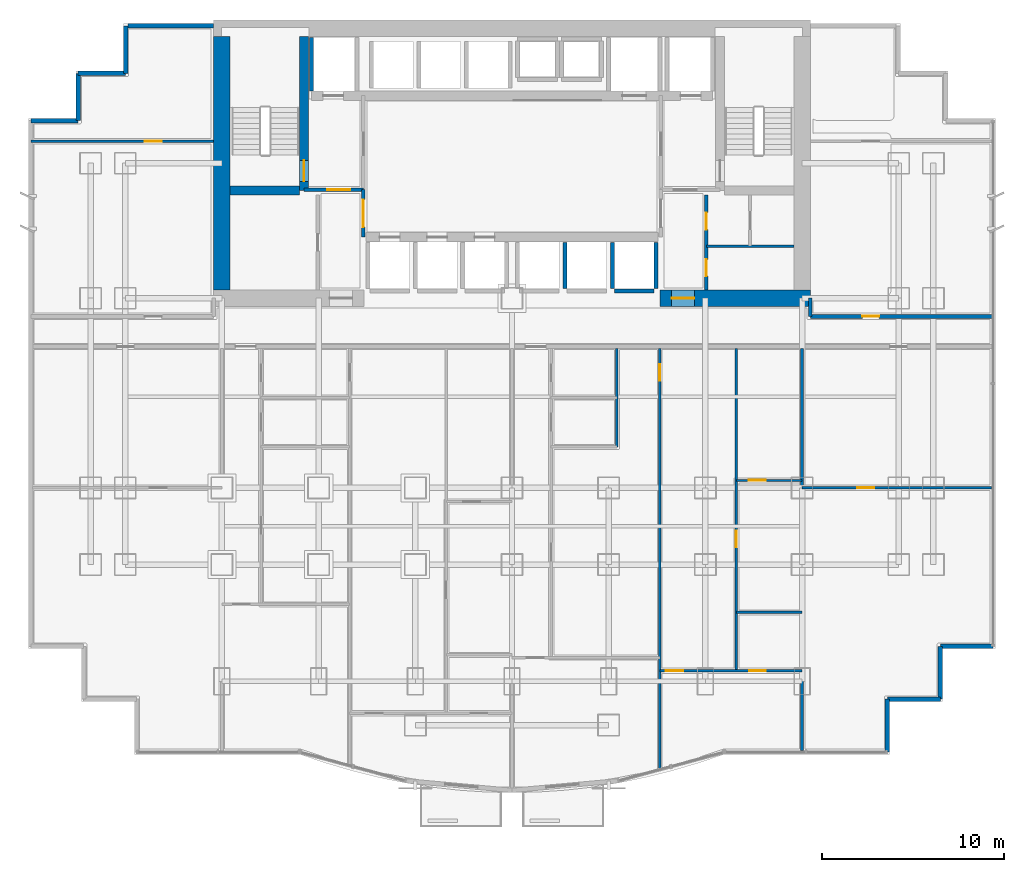
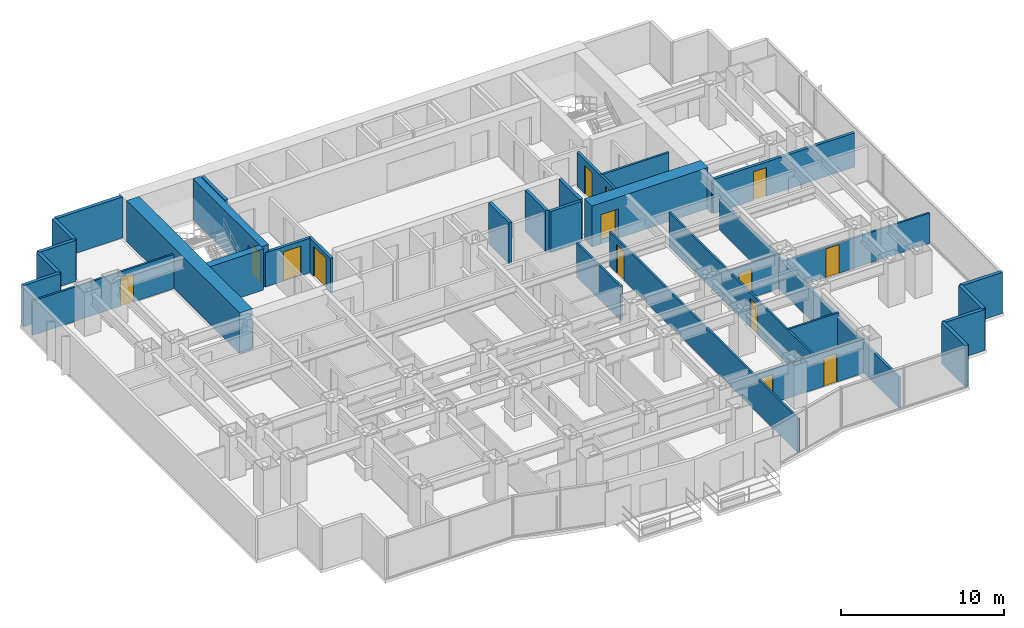
# One storey, part 8 of 12: 33 walls, 14 doors, 14 openings.
"""IFC4 building model written with IfcOpenShell, lengths in metres."""

from ifc_helpers import new_model, si_unit, direction, frame, frame_2d, origin, place, context, subcontext, project, spatial, rectangle, extrude, material, layer, layer_set, type_object, element, fill, save


model = new_model("IFC4")

# Units and contexts
model_context = context("Model", 3, precision=1e-05, world=origin(), true_north=direction((0.0, 1.0)))
body_context = subcontext(model_context, "Body", "Model", "MODEL_VIEW")
ifc_project = project(units=[si_unit("LENGTHUNIT", "METRE"), si_unit("AREAUNIT", "SQUARE_METRE"), si_unit("VOLUMEUNIT", "CUBIC_METRE"), si_unit("PLANEANGLEUNIT", "RADIAN"), si_unit("MASSUNIT", "GRAM", prefix="KILO")], contexts=[model_context])

# Site, building, storey
site_placement = place(None, origin())
site = spatial("IfcSite", under=ifc_project, at=site_placement, CompositionType="ELEMENT")
building_placement = place(site_placement, origin())
building = spatial("IfcBuilding", under=site, at=building_placement, Name="Qianlan Lanfeng Residences", CompositionType="ELEMENT")
storey_placement = place(building_placement, frame((0.0, 0.0, 47.300048828125)))
storey = spatial("IfcBuildingStorey", under=building, at=storey_placement, Name="L12", CompositionType="ELEMENT", Elevation=47.300048828125)

# Wall, opening, door
ifc_material_1 = material(Name="Concrete C70", Category="concrete")
ifc_layer_1 = layer(ifc_material_1, 0.5)
ifc_layer_set_1 = layer_set([ifc_layer_1], Name="Concrete C70")
wall_type_1 = type_object("IfcWallType", Name="CW-RC-500", PredefinedType="SHEAR", material=ifc_layer_set_1)
wall_1_placement = place(storey_placement, frame((15.10009765625, 31.10009765625, 0.0), z_axis=(0.0, 0.0, 1.0), x_axis=(0.0, 1.0, 0.0)))
wall_1 = element("IfcWall", 1, at=wall_1_placement, inside=storey, type_object=wall_type_1, Name="L12 Core Shear Wall ST1E", PredefinedType="SHEAR", context=body_context, shape_type="SweptSolid", body=[
    extrude(rectangle(XDim=8.449951171875, YDim=0.5, at=frame_2d((4.22509765625, 0.0))), origin(), (0.0, 0.0, 1.0), 3.079833984375),
])
opening_1_placement = place(wall_1_placement, frame((0.510009765625, 0.0, 0.0)))
opening_1 = element("IfcOpeningElement", 2, at=opening_1_placement, cuts=wall_1, Name="Opening L12-D07", PredefinedType="OPENING", context=body_context, shape_type="SweptSolid", body=[
    extrude(rectangle(XDim=1.14990234375, YDim=2.199951171875, at=frame_2d((0.574951171875, 1.10009765625))), frame((0.0, 0.260009765625, 0.0), z_axis=(0.0, -1.0, 0.0), x_axis=(1.0, 0.0, 0.0)), (0.0, 0.0, 1.0), 0.52001953125),
])
ifc_material_2 = material(Name="Painted Galvanised Steel Fire Door", Category="steel")
door_type_1 = type_object("IfcDoorType", Name="DT-ST1", OperationType="NOTDEFINED", PredefinedType="DOOR", material=ifc_material_2)
door_1_placement = place(opening_1_placement, frame((1.14990234375, 0.0, 0.0), z_axis=(0.0, 0.0, 1.0), x_axis=(-1.0, 0.0, 0.0)))
door_1 = element("IfcDoor", 3, at=door_1_placement, inside=storey, type_object=door_type_1, Name="L12 Exit Stair ST-1 Door L12-D07 (DT-ST1)", OperationType="SINGLE_SWING_RIGHT", OverallHeight=2.199951171875, OverallWidth=1.14990234375, PredefinedType="DOOR", context=body_context, shape_type="SweptSolid", body=[
    extrude(rectangle(XDim=1.14990234375, YDim=2.199951171875, at=frame_2d((0.574951171875, 1.10009765625))), frame((0.0, 0.02490234375, 0.0), z_axis=(0.0, -1.0, 0.0), x_axis=(1.0, 0.0, 0.0)), (0.0, 0.0, 1.0), 0.050048828125),
])
fill(opening_1, door_1)

# Walls
wall_2_placement = place(storey_placement, frame((11.050048828125, 31.10009765625, 0.0), z_axis=(0.0, 0.0, 1.0), x_axis=(1.0, 0.0, 0.0)))
element("IfcWall", 4, at=wall_2_placement, inside=storey, type_object=wall_type_1, Name="L12 Core Shear Wall ST1S", PredefinedType="SHEAR", context=body_context, shape_type="SweptSolid", body=[
    extrude(rectangle(XDim=3.800048828125, YDim=0.5, at=frame_2d((1.89990234375, 0.0))), origin(), (0.0, 0.0, 1.0), 3.079833984375),
])
ifc_layer_2 = layer(ifc_material_1, 0.89990234375)
ifc_layer_set_2 = layer_set([ifc_layer_2], Name="Concrete C70")
wall_type_2 = type_object("IfcWallType", Name="CW-RC-900", PredefinedType="SHEAR", material=ifc_layer_set_2)
wall_3_placement = place(storey_placement, frame((10.60009765625, 25.64990234375, 0.0), z_axis=(0.0, 0.0, 1.0), x_axis=(0.0, 1.0, 0.0)))
element("IfcWall", 5, at=wall_3_placement, inside=storey, type_object=wall_type_2, Name="L12 Core Shear Wall W", PredefinedType="SHEAR", context=body_context, shape_type="SweptSolid", body=[
    extrude(rectangle(XDim=13.900146484375, YDim=0.89990234375, at=frame_2d((6.9501953125, 0.0))), origin(), (0.0, 0.0, 1.0), 3.079833984375),
])

# Wall, opening, door
wall_4_placement = place(storey_placement, frame((34.60009765625, 25.199951171875, 0.0), z_axis=(0.0, 0.0, 1.0), x_axis=(1.0, 0.0, 0.0)))
wall_4 = element("IfcWall", 6, at=wall_4_placement, inside=storey, type_object=wall_type_2, Name="L12 Core Shear Wall SE", PredefinedType="SHEAR", context=body_context, shape_type="SweptSolid", body=[
    extrude(rectangle(XDim=8.25, YDim=0.89990234375, at=frame_2d((4.125, 0.0))), origin(), (0.0, 0.0, 1.0), 3.079833984375),
])
opening_2_placement = place(wall_4_placement, frame((0.64990234375, 0.0, 0.0)))
opening_2 = element("IfcOpeningElement", 7, at=opening_2_placement, cuts=wall_4, Name="Opening L12-D02", PredefinedType="OPENING", context=body_context, shape_type="SweptSolid", body=[
    extrude(rectangle(XDim=1.25, YDim=2.199951171875, at=frame_2d((0.625, 1.10009765625))), frame((0.0, 0.4599609375, 0.0), z_axis=(0.0, -1.0, 0.0), x_axis=(1.0, 0.0, 0.0)), (0.0, 0.0, 1.0), 0.919921875),
])
door_type_2 = type_object("IfcDoorType", Name="DT-FFL", OperationType="NOTDEFINED", PredefinedType="DOOR", material=ifc_material_2)
door_2_placement = place(opening_2_placement, frame((1.25, 0.0, 0.0), z_axis=(0.0, 0.0, 1.0), x_axis=(-1.0, 0.0, 0.0)))
door_2 = element("IfcDoor", 8, at=door_2_placement, inside=storey, type_object=door_type_2, Name="L12 East Core Lobby Smoke Door L12-D02 (DT-FFL)", OperationType="SINGLE_SWING_LEFT", OverallHeight=2.199951171875, OverallWidth=1.25, PredefinedType="DOOR", context=body_context, shape_type="SweptSolid", body=[
    extrude(rectangle(XDim=1.25, YDim=2.199951171875, at=frame_2d((0.625, 1.10009765625))), frame((0.0, 0.02490234375, 0.0), z_axis=(0.0, -1.0, 0.0), x_axis=(1.0, 0.0, 0.0)), (0.0, 0.0, 1.0), 0.050048828125),
])
fill(opening_2, door_2)

# Walls
ifc_material_3 = material(Name="Concrete C42", Category="concrete")
ifc_layer_3 = layer(ifc_material_3, 0.239990234375)
ifc_layer_set_3 = layer_set([ifc_layer_3], Name="Concrete C42")
wall_type_3 = type_object("IfcWallType", Name="EW-240", PredefinedType="SOLIDWALL", material=ifc_layer_set_3)
for number, where, z_axis, x_axis, name in (
    (9, (47.080078125, 0.320068359375, 0.0), (0.0, 0.0, 1.0), (0.0, 1.0, 0.0), "L12 Exterior Facade Spandrel Wall 7"),
    (10, (47.080078125, 3.219970703125, 0.0), (0.0, 0.0, 1.0), (1.0, 0.0, 0.0), "L12 Exterior Facade Spandrel Wall 8"),
):
    element("IfcWall", number, at=place(storey_placement, frame(where, z_axis=z_axis, x_axis=x_axis)), inside=storey, type_object=wall_type_3, Name=name, PredefinedType="SOLIDWALL", context=body_context, shape_type="SweptSolid", body=[
        extrude(rectangle(XDim=2.89990234375, YDim=0.239990234375, at=frame_2d((1.449951171875, 0.0))), origin(), (0.0, 0.0, 1.0), 3.079833984375),
    ])
wall_5_placement = place(storey_placement, frame((49.97998046875, 3.219970703125, 0.0), z_axis=(0.0, 0.0, 1.0), x_axis=(0.0, 1.0, 0.0)))
element("IfcWall", 11, at=wall_5_placement, inside=storey, type_object=wall_type_3, Name="L12 Exterior Facade Spandrel Wall 9", PredefinedType="SOLIDWALL", context=body_context, shape_type="SweptSolid", body=[
    extrude(rectangle(XDim=2.900146484375, YDim=0.239990234375, at=frame_2d((1.4501953125, 0.0))), origin(), (0.0, 0.0, 1.0), 3.079833984375),
])
wall_6_placement = place(storey_placement, frame((49.97998046875, 6.1201171875, 0.0), z_axis=(0.0, 0.0, 1.0), x_axis=(1.0, 0.0, 0.0)))
element("IfcWall", 12, at=wall_6_placement, inside=storey, type_object=wall_type_3, Name="L12 Exterior Facade Spandrel Wall 10", PredefinedType="SOLIDWALL", context=body_context, shape_type="SweptSolid", body=[
    extrude(rectangle(XDim=2.89990234375, YDim=0.239990234375, at=frame_2d((1.449951171875, 0.0))), origin(), (0.0, 0.0, 1.0), 3.079833984375),
])
wall_7_placement = place(storey_placement, frame((10.14990234375, 40.1298828125, 0.0), z_axis=(0.0, 0.0, 1.0), x_axis=(-1.0, 0.0, 0.0)))
element("IfcWall", 13, at=wall_7_placement, inside=storey, type_object=wall_type_3, Name="L12 North Wing Exterior Wall W", PredefinedType="SOLIDWALL", context=body_context, shape_type="SweptSolid", body=[
    extrude(rectangle(XDim=4.699951171875, YDim=0.239990234375, at=frame_2d((2.35009765625, 0.0))), origin(), (0.0, 0.0, 1.0), 3.079833984375),
])
wall_8_placement = place(storey_placement, frame((5.320068359375, 40.1298828125, 0.0), z_axis=(0.0, 0.0, 1.0), x_axis=(0.0, -1.0, 0.0)))
element("IfcWall", 14, at=wall_8_placement, inside=storey, type_object=wall_type_3, Name="L12 Exterior Facade Spandrel Wall 17", PredefinedType="SOLIDWALL", context=body_context, shape_type="SweptSolid", body=[
    extrude(rectangle(XDim=2.599853515625, YDim=0.239990234375, at=frame_2d((1.2998046875, 0.0))), origin(), (0.0, 0.0, 1.0), 3.079833984375),
])
for number, where, z_axis, x_axis, name in (
    (15, (5.320068359375, 37.530029296875, 0.0), (0.0, 0.0, 1.0), (-1.0, 0.0, 0.0), "L12 Exterior Facade Spandrel Wall 18"),
    (16, (2.719970703125, 37.530029296875, 0.0), (0.0, 0.0, 1.0), (0.0, -1.0, 0.0), "L12 Exterior Facade Spandrel Wall 19"),
):
    element("IfcWall", number, at=place(storey_placement, frame(where, z_axis=z_axis, x_axis=x_axis)), inside=storey, type_object=wall_type_3, Name=name, PredefinedType="SOLIDWALL", context=body_context, shape_type="SweptSolid", body=[
        extrude(rectangle(XDim=2.60009765625, YDim=0.239990234375, at=frame_2d((1.300048828125, 0.0))), origin(), (0.0, 0.0, 1.0), 3.079833984375),
    ])
wall_9_placement = place(storey_placement, frame((2.719970703125, 34.929931640625, 0.0), z_axis=(0.0, 0.0, 1.0), x_axis=(-1.0, 0.0, 0.0)))
element("IfcWall", 17, at=wall_9_placement, inside=storey, type_object=wall_type_3, Name="L12 Exterior Facade Spandrel Wall 20", PredefinedType="SOLIDWALL", context=body_context, shape_type="SweptSolid", body=[
    extrude(rectangle(XDim=2.599853515625, YDim=0.239990234375, at=frame_2d((1.2998046875, 0.0))), origin(), (0.0, 0.0, 1.0), 3.079833984375),
])

# Wall, opening, door
ifc_material_4 = material(Name="Demountable Acoustic Framing Partition 110 mm")
ifc_layer_4 = layer(ifc_material_4, 0.110107421875)
ifc_layer_set_4 = layer_set([ifc_layer_4], Name="Demountable Acoustic Framing Partition 110 mm")
wall_type_4 = type_object("IfcWallType", Name="PW-110", PredefinedType="MOVABLE", material=ifc_layer_set_4)
wall_10_placement = place(storey_placement, frame((38.800048828125, 15.214111328125, 0.0), z_axis=(0.0, 0.0, 1.0), x_axis=(1.0, 0.0, 0.0)))
wall_10 = element("IfcWall", 18, at=wall_10_placement, inside=storey, type_object=wall_type_4, Name="L12 U02 Wardrobe Split", PredefinedType="MOVABLE", context=body_context, shape_type="SweptSolid", body=[
    extrude(rectangle(XDim=3.599853515625, YDim=0.110107421875, at=frame_2d((1.7998046875, 0.0))), origin(), (0.0, 0.0, 1.0), 2.570068359375),
])
opening_3_placement = place(wall_10_placement, frame((0.68994140625, 0.0, 0.0)))
opening_3 = element("IfcOpeningElement", 19, at=opening_3_placement, cuts=wall_10, Name="Opening L12-D34", PredefinedType="OPENING", context=body_context, shape_type="SweptSolid", body=[
    extrude(rectangle(XDim=0.919921875, YDim=2.14990234375, at=frame_2d((0.4599609375, 1.074951171875))), frame((0.0, 0.06494140625, 0.0), z_axis=(0.0, -1.0, 0.0), x_axis=(1.0, 0.0, 0.0)), (0.0, 0.0, 1.0), 0.130126953125),
])
ifc_material_5 = material(Name="Glazed Timber Kitchen/Study Door", Category="wood")
door_type_3 = type_object("IfcDoorType", Name="DT-INT", OperationType="NOTDEFINED", PredefinedType="DOOR", material=ifc_material_5)
door_3_placement = place(opening_3_placement, origin())
door_3 = element("IfcDoor", 20, at=door_3_placement, inside=storey, type_object=door_type_3, Name="L12 U02 Dressing Inner Door L12-D34 (DT-INT)", OperationType="SINGLE_SWING_RIGHT", OverallHeight=2.14990234375, OverallWidth=0.919921875, PredefinedType="DOOR", context=body_context, shape_type="SweptSolid", body=[
    extrude(rectangle(XDim=0.919921875, YDim=2.14990234375, at=frame_2d((0.4599609375, 1.074951171875))), frame((0.0, 0.02490234375, 0.0), z_axis=(0.0, -1.0, 0.0), x_axis=(1.0, 0.0, 0.0)), (0.0, 0.0, 1.0), 0.050048828125),
])
fill(opening_3, door_3)

ifc_material_6 = material(Name="Moisture-Resistant Gypsum Partition 135 mm")
ifc_layer_5 = layer(ifc_material_6, 0.135009765625)
ifc_layer_set_5 = layer_set([ifc_layer_5], Name="Moisture-Resistant Gypsum Partition 135 mm")
wall_type_5 = type_object("IfcWallType", Name="PW-135", PredefinedType="PARTITIONING", material=ifc_layer_set_5)
wall_11_placement = place(storey_placement, frame((34.60009765625, -0.64990234375, 0.0), z_axis=(0.0, 0.0, 1.0), x_axis=(0.0, 1.0, 0.0)))
wall_11 = element("IfcWall", 21, at=wall_11_placement, inside=storey, type_object=wall_type_5, Name="L12 U02 Bay Spine Wall 1", PredefinedType="PARTITIONING", context=body_context, shape_type="SweptSolid", body=[
    extrude(rectangle(XDim=23.099853515625, YDim=0.135009765625, at=frame_2d((11.5498046875, 0.0))), origin(), (0.0, 0.0, 1.0), 2.570068359375),
])
opening_4_placement = place(wall_11_placement, frame((21.31494140625, 0.0, 0.0)))
opening_4 = element("IfcOpeningElement", 22, at=opening_4_placement, cuts=wall_11, Name="Opening L12-D26", PredefinedType="OPENING", context=body_context, shape_type="SweptSolid", body=[
    extrude(rectangle(XDim=0.919921875, YDim=2.14990234375, at=frame_2d((0.4599609375, 1.074951171875))), frame((0.0, 0.07763671875, 0.0), z_axis=(0.0, -1.0, 0.0), x_axis=(1.0, 0.0, 0.0)), (0.0, 0.0, 1.0), 0.155029296875),
])
door_4_placement = place(opening_4_placement, origin())
door_4 = element("IfcDoor", 23, at=door_4_placement, inside=storey, type_object=door_type_3, Name="L12 U02 Internal Hall Door L12-D26 (DT-INT)", OperationType="SINGLE_SWING_RIGHT", OverallHeight=2.14990234375, OverallWidth=0.919921875, PredefinedType="DOOR", context=body_context, shape_type="SweptSolid", body=[
    extrude(rectangle(XDim=0.919921875, YDim=2.14990234375, at=frame_2d((0.4599609375, 1.074951171875))), frame((0.0, 0.02490234375, 0.0), z_axis=(0.0, -1.0, 0.0), x_axis=(1.0, 0.0, 0.0)), (0.0, 0.0, 1.0), 0.050048828125),
])
fill(opening_4, door_4)

# Wall
wall_12_placement = place(storey_placement, frame((32.25, 17.050048828125, 0.0), z_axis=(0.0, 0.0, 1.0), x_axis=(0.0, 1.0, 0.0)))
element("IfcWall", 24, at=wall_12_placement, inside=storey, type_object=wall_type_5, Name="L12 U02 Dining East Wall", PredefinedType="PARTITIONING", context=body_context, shape_type="SweptSolid", body=[
    extrude(rectangle(XDim=5.39990234375, YDim=0.135009765625, at=frame_2d((2.699951171875, 0.0))), origin(), (0.0, 0.0, 1.0), 2.570068359375),
])

# Wall, openings, doors
wall_13_placement = place(storey_placement, frame((34.60009765625, 4.779052734375, 0.0), z_axis=(0.0, 0.0, 1.0), x_axis=(1.0, 0.0, 0.0)))
wall_13 = element("IfcWall", 25, at=wall_13_placement, inside=storey, type_object=wall_type_5, Name="L12 U02 Master Bedroom North Wall", PredefinedType="PARTITIONING", context=body_context, shape_type="SweptSolid", body=[
    extrude(rectangle(XDim=7.7998046875, YDim=0.135009765625, at=frame_2d((3.89990234375, 0.0))), origin(), (0.0, 0.0, 1.0), 2.570068359375),
])
opening_5_placement = place(wall_13_placement, frame((0.324951171875, 0.0, 0.0)))
opening_5 = element("IfcOpeningElement", 26, at=opening_5_placement, cuts=wall_13, Name="Opening L12-D31", PredefinedType="OPENING", context=body_context, shape_type="SweptSolid", body=[
    extrude(rectangle(XDim=0.949951171875, YDim=2.14990234375, at=frame_2d((0.47509765625, 1.074951171875))), frame((0.0, 0.07763671875, 0.0), z_axis=(0.0, -1.0, 0.0), x_axis=(1.0, 0.0, 0.0)), (0.0, 0.0, 1.0), 0.155029296875),
])
opening_6_placement = place(wall_13_placement, frame((4.89990234375, 0.0, 0.0)))
opening_6 = element("IfcOpeningElement", 27, at=opening_6_placement, cuts=wall_13, Name="Opening L12-D32", PredefinedType="OPENING", context=body_context, shape_type="SweptSolid", body=[
    extrude(rectangle(XDim=0.89990234375, YDim=2.14990234375, at=frame_2d((0.449951171875, 1.074951171875))), frame((0.0, 0.07763671875, 0.0), z_axis=(0.0, -1.0, 0.0), x_axis=(1.0, 0.0, 0.0)), (0.0, 0.0, 1.0), 0.155029296875),
])
ifc_material_7 = material(Name="Painted Solid-Core Timber Leaf", Category="wood")
door_type_4 = type_object("IfcDoorType", Name="DT-BED", OperationType="NOTDEFINED", PredefinedType="DOOR", material=ifc_material_7)
door_5_placement = place(opening_5_placement, origin())
door_5 = element("IfcDoor", 28, at=door_5_placement, inside=storey, type_object=door_type_4, Name="L12 U02 Master Bedroom Door L12-D31 (DT-BED)", OperationType="SINGLE_SWING_RIGHT", OverallHeight=2.14990234375, OverallWidth=0.949951171875, PredefinedType="DOOR", context=body_context, shape_type="SweptSolid", body=[
    extrude(rectangle(XDim=0.949951171875, YDim=2.14990234375, at=frame_2d((0.47509765625, 1.074951171875))), frame((0.0, 0.02490234375, 0.0), z_axis=(0.0, -1.0, 0.0), x_axis=(1.0, 0.0, 0.0)), (0.0, 0.0, 1.0), 0.050048828125),
])
fill(opening_5, door_5)
ifc_material_8 = material(Name="Moisture-Resistant Timber Leaf", Category="wood")
door_type_5 = type_object("IfcDoorType", Name="DT-WC", OperationType="NOTDEFINED", PredefinedType="DOOR", material=ifc_material_8)
door_6_placement = place(opening_6_placement, origin())
door_6 = element("IfcDoor", 29, at=door_6_placement, inside=storey, type_object=door_type_5, Name="L12 U02 En-Suite Bathroom Door L12-D32 (DT-WC)", OperationType="SINGLE_SWING_RIGHT", OverallHeight=2.14990234375, OverallWidth=0.89990234375, PredefinedType="DOOR", context=body_context, shape_type="SweptSolid", body=[
    extrude(rectangle(XDim=0.89990234375, YDim=2.14990234375, at=frame_2d((0.449951171875, 1.074951171875))), frame((0.0, 0.02490234375, 0.0), z_axis=(0.0, -1.0, 0.0), x_axis=(1.0, 0.0, 0.0)), (0.0, 0.0, 1.0), 0.050048828125),
])
fill(opening_6, door_6)

# Wall, opening, door
wall_14_placement = place(storey_placement, frame((38.800048828125, 4.779052734375, 0.0), z_axis=(0.0, 0.0, 1.0), x_axis=(0.0, 1.0, 0.0)))
wall_14 = element("IfcWall", 30, at=wall_14_placement, inside=storey, type_object=wall_type_5, Name="L12 U02 Master Passage Wall", PredefinedType="PARTITIONING", context=body_context, shape_type="SweptSolid", body=[
    extrude(rectangle(XDim=17.6708984375, YDim=0.135009765625, at=frame_2d((8.83544921875, 0.0))), origin(), (0.0, 0.0, 1.0), 2.570068359375),
])
opening_7_placement = place(wall_14_placement, frame((6.758056640625, 0.0, 0.0)))
opening_7 = element("IfcOpeningElement", 31, at=opening_7_placement, cuts=wall_14, Name="Opening L12-D33", PredefinedType="OPENING", context=body_context, shape_type="SweptSolid", body=[
    extrude(rectangle(XDim=0.919921875, YDim=2.14990234375, at=frame_2d((0.4599609375, 1.074951171875))), frame((0.0, 0.07763671875, 0.0), z_axis=(0.0, -1.0, 0.0), x_axis=(1.0, 0.0, 0.0)), (0.0, 0.0, 1.0), 0.155029296875),
])
door_7_placement = place(opening_7_placement, origin())
door_7 = element("IfcDoor", 32, at=door_7_placement, inside=storey, type_object=door_type_3, Name="L12 U02 Wardrobe Door L12-D33 (DT-INT)", OperationType="SINGLE_SWING_LEFT", OverallHeight=2.14990234375, OverallWidth=0.919921875, PredefinedType="DOOR", context=body_context, shape_type="SweptSolid", body=[
    extrude(rectangle(XDim=0.919921875, YDim=2.14990234375, at=frame_2d((0.4599609375, 1.074951171875))), frame((0.0, 0.02490234375, 0.0), z_axis=(0.0, -1.0, 0.0), x_axis=(1.0, 0.0, 0.0)), (0.0, 0.0, 1.0), 0.050048828125),
])
fill(opening_7, door_7)

# Wall
wall_15_placement = place(storey_placement, frame((38.800048828125, 7.97900390625, 0.0), z_axis=(0.0, 0.0, 1.0), x_axis=(1.0, 0.0, 0.0)))
element("IfcWall", 33, at=wall_15_placement, inside=storey, type_object=wall_type_5, Name="L12 U02 En-Suite North Wall", PredefinedType="PARTITIONING", context=body_context, shape_type="SweptSolid", body=[
    extrude(rectangle(XDim=3.599853515625, YDim=0.135009765625, at=frame_2d((1.7998046875, 0.0))), origin(), (0.0, 0.0, 1.0), 2.570068359375),
])

# Wall, opening, door
wall_16_placement = place(storey_placement, frame((42.39990234375, 14.800048828125, 0.0), z_axis=(0.0, 0.0, 1.0), x_axis=(1.0, 0.0, 0.0)))
wall_16 = element("IfcWall", 34, at=wall_16_placement, inside=storey, type_object=wall_type_5, Name="L12 SEP Mid Partition", PredefinedType="PARTITIONING", context=body_context, shape_type="SweptSolid", body=[
    extrude(rectangle(XDim=10.380126953125, YDim=0.135009765625, at=frame_2d((5.18994140625, 0.0))), origin(), (0.0, 0.0, 1.0), 2.27490234375),
])
opening_8_placement = place(wall_16_placement, frame((3.030029296875, 0.0, 0.0)))
opening_8 = element("IfcOpeningElement", 35, at=opening_8_placement, cuts=wall_16, Name="Opening L12-D37", PredefinedType="OPENING", context=body_context, shape_type="SweptSolid", body=[
    extrude(rectangle(XDim=0.919921875, YDim=2.14990234375, at=frame_2d((0.4599609375, 1.074951171875))), frame((0.0, 0.07763671875, 0.0), z_axis=(0.0, -1.0, 0.0), x_axis=(1.0, 0.0, 0.0)), (0.0, 0.0, 1.0), 0.155029296875),
])
door_8_placement = place(opening_8_placement, origin())
door_8 = element("IfcDoor", 36, at=door_8_placement, inside=storey, type_object=door_type_3, Name="L12 SEP Inner Door L12-D37 (DT-INT)", OperationType="SINGLE_SWING_LEFT", OverallHeight=2.14990234375, OverallWidth=0.919921875, PredefinedType="DOOR", context=body_context, shape_type="SweptSolid", body=[
    extrude(rectangle(XDim=0.919921875, YDim=2.14990234375, at=frame_2d((0.4599609375, 1.074951171875))), frame((0.0, 0.02490234375, 0.0), z_axis=(0.0, -1.0, 0.0), x_axis=(1.0, 0.0, 0.0)), (0.0, 0.0, 1.0), 0.050048828125),
])
fill(opening_8, door_8)

wall_17_placement = place(storey_placement, frame((0.1201171875, 33.800048828125, 0.0), z_axis=(0.0, 0.0, 1.0), x_axis=(1.0, 0.0, 0.0)))
wall_17 = element("IfcWall", 37, at=wall_17_placement, inside=storey, type_object=wall_type_5, Name="L12 WW North Wing Wall", PredefinedType="PARTITIONING", context=body_context, shape_type="SweptSolid", body=[
    extrude(rectangle(XDim=10.02978515625, YDim=0.135009765625, at=frame_2d((5.014892578125, 0.0))), origin(), (0.0, 0.0, 1.0), 2.570068359375),
])
opening_9_placement = place(wall_17_placement, frame((6.2548828125, 0.0, 0.0)))
opening_9 = element("IfcOpeningElement", 38, at=opening_9_placement, cuts=wall_17, Name="Opening L12-D39", PredefinedType="OPENING", context=body_context, shape_type="SweptSolid", body=[
    extrude(rectangle(XDim=0.919921875, YDim=2.14990234375, at=frame_2d((0.4599609375, 1.074951171875))), frame((0.0, 0.07763671875, 0.0), z_axis=(0.0, -1.0, 0.0), x_axis=(1.0, 0.0, 0.0)), (0.0, 0.0, 1.0), 0.155029296875),
])
door_9_placement = place(opening_9_placement, origin())
door_9 = element("IfcDoor", 39, at=door_9_placement, inside=storey, type_object=door_type_3, Name="L12 WW Inner Salon Door L12-D39 (DT-INT)", OperationType="SINGLE_SWING_LEFT", OverallHeight=2.14990234375, OverallWidth=0.919921875, PredefinedType="DOOR", context=body_context, shape_type="SweptSolid", body=[
    extrude(rectangle(XDim=0.919921875, YDim=2.14990234375, at=frame_2d((0.4599609375, 1.074951171875))), frame((0.0, 0.02490234375, 0.0), z_axis=(0.0, -1.0, 0.0), x_axis=(1.0, 0.0, 0.0)), (0.0, 0.0, 1.0), 0.050048828125),
])
fill(opening_9, door_9)

# Wall
ifc_material_9 = material(Name="Acoustic Drywall Partition 150 mm")
ifc_layer_6 = layer(ifc_material_9, 0.14990234375)
ifc_layer_set_6 = layer_set([ifc_layer_6], Name="Acoustic Drywall Partition 150 mm")
wall_type_6 = type_object("IfcWallType", Name="PW-150", PredefinedType="PARTITIONING", material=ifc_layer_set_6)
wall_18_placement = place(storey_placement, frame((37.14990234375, 28.050048828125, 0.0), z_axis=(0.0, 0.0, 1.0), x_axis=(1.0, 0.0, 0.0)))
element("IfcWall", 40, at=wall_18_placement, inside=storey, type_object=wall_type_6, Name="L12 Core East H Split", PredefinedType="PARTITIONING", context=body_context, shape_type="SweptSolid", body=[
    extrude(rectangle(XDim=4.800048828125, YDim=0.14990234375, at=frame_2d((2.39990234375, 0.0))), origin(), (0.0, 0.0, 1.0), 2.570068359375),
])

# Wall, openings, doors
ifc_material_10 = material(Name="Double-Layer Acoustic Gypsum Stud Wall 180 mm")
ifc_layer_7 = layer(ifc_material_10, 0.179931640625)
ifc_layer_set_7 = layer_set([ifc_layer_7], Name="Double-Layer Acoustic Gypsum Stud Wall 180 mm")
wall_type_7 = type_object("IfcWallType", Name="PW-180", PredefinedType="PARTITIONING", material=ifc_layer_set_7)
wall_19_placement = place(storey_placement, frame((37.14990234375, 25.64990234375, 0.0), z_axis=(0.0, 0.0, 1.0), x_axis=(0.0, 1.0, 0.0)))
wall_19 = element("IfcWall", 41, at=wall_19_placement, inside=storey, type_object=wall_type_7, Name="L12 Core East Service Room Wall", PredefinedType="PARTITIONING", context=body_context, shape_type="SweptSolid", body=[
    extrude(rectangle(XDim=5.2001953125, YDim=0.179931640625, at=frame_2d((2.60009765625, 0.0))), origin(), (0.0, 0.0, 1.0), 2.570068359375),
])
opening_10_placement = place(wall_19_placement, frame((0.764892578125, 0.0, 0.0)))
opening_10 = element("IfcOpeningElement", 42, at=opening_10_placement, cuts=wall_19, Name="Opening L12-D10", PredefinedType="OPENING", context=body_context, shape_type="SweptSolid", body=[
    extrude(rectangle(XDim=0.919921875, YDim=2.14990234375, at=frame_2d((0.4599609375, 1.074951171875))), frame((0.0, 0.10009765625, 0.0), z_axis=(0.0, -1.0, 0.0), x_axis=(1.0, 0.0, 0.0)), (0.0, 0.0, 1.0), 0.199951171875),
])
opening_11_placement = place(wall_19_placement, frame((3.31494140625, 0.0, 0.0)))
opening_11 = element("IfcOpeningElement", 43, at=opening_11_placement, cuts=wall_19, Name="Opening L12-D11", PredefinedType="OPENING", context=body_context, shape_type="SweptSolid", body=[
    extrude(rectangle(XDim=0.919921875, YDim=2.14990234375, at=frame_2d((0.4599609375, 1.074951171875))), frame((0.0, 0.10009765625, 0.0), z_axis=(0.0, -1.0, 0.0), x_axis=(1.0, 0.0, 0.0)), (0.0, 0.0, 1.0), 0.199951171875),
])
door_10_placement = place(opening_10_placement, origin())
door_10 = element("IfcDoor", 44, at=door_10_placement, inside=storey, type_object=door_type_3, Name="L12 Refuse Room Door L12-D10 (DT-INT)", OperationType="SINGLE_SWING_LEFT", OverallHeight=2.14990234375, OverallWidth=0.919921875, PredefinedType="DOOR", context=body_context, shape_type="SweptSolid", body=[
    extrude(rectangle(XDim=0.919921875, YDim=2.14990234375, at=frame_2d((0.4599609375, 1.074951171875))), frame((0.0, 0.02490234375, 0.0), z_axis=(0.0, -1.0, 0.0), x_axis=(1.0, 0.0, 0.0)), (0.0, 0.0, 1.0), 0.050048828125),
])
fill(opening_10, door_10)
door_11_placement = place(opening_11_placement, origin())
door_11 = element("IfcDoor", 45, at=door_11_placement, inside=storey, type_object=door_type_3, Name="L12 Janitor Outer Door L12-D11 (DT-INT)", OperationType="SINGLE_SWING_LEFT", OverallHeight=2.14990234375, OverallWidth=0.919921875, PredefinedType="DOOR", context=body_context, shape_type="SweptSolid", body=[
    extrude(rectangle(XDim=0.919921875, YDim=2.14990234375, at=frame_2d((0.4599609375, 1.074951171875))), frame((0.0, 0.02490234375, 0.0), z_axis=(0.0, -1.0, 0.0), x_axis=(1.0, 0.0, 0.0)), (0.0, 0.0, 1.0), 0.050048828125),
])
fill(opening_11, door_11)

# Wall
wall_20_placement = place(storey_placement, frame((42.39990234375, 0.419921875, 0.0), z_axis=(0.0, 0.0, 1.0), x_axis=(0.0, 1.0, 0.0)))
element("IfcWall", 46, at=wall_20_placement, inside=storey, type_object=wall_type_7, Name="L12 Wing Boundary Party Wall E0", PredefinedType="PARTITIONING", context=body_context, shape_type="SweptSolid", body=[
    extrude(rectangle(XDim=22.030029296875, YDim=0.179931640625, at=frame_2d((11.01513671875, 0.0))), origin(), (0.0, 0.0, 1.0), 2.27490234375),
])

# Wall, opening, door
ifc_material_11 = material(Name="Autoclaved Aerated Concrete Blockwork 200 mm", Category="masonry")
ifc_layer_8 = layer(ifc_material_11, 0.199951171875)
ifc_layer_set_8 = layer_set([ifc_layer_8], Name="Autoclaved Aerated Concrete Blockwork 200 mm")
wall_type_8 = type_object("IfcWallType", Name="PW-200", PredefinedType="PARTITIONING", material=ifc_layer_set_8)
wall_21_placement = place(storey_placement, frame((15.10009765625, 31.14990234375, 0.0), z_axis=(0.0, 0.0, 1.0), x_axis=(1.0, 0.0, 0.0)))
wall_21 = element("IfcWall", 47, at=wall_21_placement, inside=storey, type_object=wall_type_8, Name="L12 Firefighting Lobby 1 South Wall", PredefinedType="PARTITIONING", context=body_context, shape_type="SweptSolid", body=[
    extrude(rectangle(XDim=3.25, YDim=0.199951171875, at=frame_2d((1.625, 0.0))), origin(), (0.0, 0.0, 1.0), 2.570068359375),
])
opening_12_placement = place(wall_21_placement, frame((1.27490234375, 0.0, 0.0)))
opening_12 = element("IfcOpeningElement", 48, at=opening_12_placement, cuts=wall_21, Name="Opening L12-D03", PredefinedType="OPENING", context=body_context, shape_type="SweptSolid", body=[
    extrude(rectangle(XDim=1.25, YDim=2.199951171875, at=frame_2d((0.625, 1.10009765625))), frame((0.0, 0.10986328125, 0.0), z_axis=(0.0, -1.0, 0.0), x_axis=(1.0, 0.0, 0.0)), (0.0, 0.0, 1.0), 0.219970703125),
])
door_12_placement = place(opening_12_placement, origin())
door_12 = element("IfcDoor", 49, at=door_12_placement, inside=storey, type_object=door_type_2, Name="L12 Firefighting Lobby 1 Entry Door L12-D03 (DT-FFL)", OperationType="SINGLE_SWING_LEFT", OverallHeight=2.199951171875, OverallWidth=1.25, PredefinedType="DOOR", context=body_context, shape_type="SweptSolid", body=[
    extrude(rectangle(XDim=1.25, YDim=2.199951171875, at=frame_2d((0.625, 1.10009765625))), frame((0.0, 0.02490234375, 0.0), z_axis=(0.0, -1.0, 0.0), x_axis=(1.0, 0.0, 0.0)), (0.0, 0.0, 1.0), 0.050048828125),
])
fill(opening_12, door_12)

wall_22_placement = place(storey_placement, frame((18.35009765625, 28.550048828125, 0.0), z_axis=(0.0, 0.0, 1.0), x_axis=(0.0, 1.0, 0.0)))
wall_22 = element("IfcWall", 50, at=wall_22_placement, inside=storey, type_object=wall_type_8, Name="L12 Lift Lobby West Connector Wall", PredefinedType="PARTITIONING", context=body_context, shape_type="SweptSolid", body=[
    extrude(rectangle(XDim=2.599853515625, YDim=0.199951171875, at=frame_2d((1.2998046875, 0.0))), origin(), (0.0, 0.0, 1.0), 2.570068359375),
])
opening_13_placement = place(wall_22_placement, frame((0.550048828125, 0.0, 0.0)))
opening_13 = element("IfcOpeningElement", 51, at=opening_13_placement, cuts=wall_22, Name="Opening L12-D13", PredefinedType="OPENING", context=body_context, shape_type="SweptSolid", body=[
    extrude(rectangle(XDim=1.5, YDim=2.25, at=frame_2d((0.75, 1.125))), frame((0.0, 0.10986328125, 0.0), z_axis=(0.0, -1.0, 0.0), x_axis=(1.0, 0.0, 0.0)), (0.0, 0.0, 1.0), 0.219970703125),
])
ifc_material_12 = material(Name="Timber Veneer Acoustic Fire Door", Category="wood")
door_type_6 = type_object("IfcDoorType", Name="DT-COR1", OperationType="NOTDEFINED", PredefinedType="DOOR", material=ifc_material_12)
door_13_placement = place(opening_13_placement, origin())
door_13 = element("IfcDoor", 52, at=door_13_placement, inside=storey, type_object=door_type_6, Name="L12 Lift Lobby West Portal Door L12-D13 (DT-COR1)", OperationType="DOUBLE_DOOR_SINGLE_SWING", OverallHeight=2.25, OverallWidth=1.5, PredefinedType="DOOR", context=body_context, shape_type="SweptSolid", body=[
    extrude(rectangle(XDim=1.5, YDim=2.25, at=frame_2d((0.75, 1.125))), frame((0.0, 0.02490234375, 0.0), z_axis=(0.0, -1.0, 0.0), x_axis=(1.0, 0.0, 0.0)), (0.0, 0.0, 1.0), 0.050048828125),
])
fill(opening_13, door_13)

wall_23_placement = place(storey_placement, frame((42.85009765625, 24.199951171875, 0.0), z_axis=(0.0, 0.0, 1.0), x_axis=(1.0, 0.0, 0.0)))
wall_23 = element("IfcWall", 53, at=wall_23_placement, inside=storey, type_object=wall_type_8, Name="L12 Corridor NE Wall", PredefinedType="PARTITIONING", context=body_context, shape_type="SweptSolid", body=[
    extrude(rectangle(XDim=10.02978515625, YDim=0.199951171875, at=frame_2d((5.014892578125, 0.0))), origin(), (0.0, 0.0, 1.0), 2.570068359375),
])
opening_14_placement = place(wall_23_placement, frame((2.85498046875, 0.0, 0.0)))
opening_14 = element("IfcOpeningElement", 54, at=opening_14_placement, cuts=wall_23, Name="Opening L12-D42", PredefinedType="OPENING", context=body_context, shape_type="SweptSolid", body=[
    extrude(rectangle(XDim=0.919921875, YDim=2.14990234375, at=frame_2d((0.4599609375, 1.074951171875))), frame((0.0, 0.10986328125, 0.0), z_axis=(0.0, -1.0, 0.0), x_axis=(1.0, 0.0, 0.0)), (0.0, 0.0, 1.0), 0.219970703125),
])
door_14_placement = place(opening_14_placement, origin())
door_14 = element("IfcDoor", 55, at=door_14_placement, inside=storey, type_object=door_type_3, Name="L12 EW Amenity Salon Door L12-D42 (DT-INT)", OperationType="SINGLE_SWING_LEFT", OverallHeight=2.14990234375, OverallWidth=0.919921875, PredefinedType="DOOR", context=body_context, shape_type="SweptSolid", body=[
    extrude(rectangle(XDim=0.919921875, YDim=2.14990234375, at=frame_2d((0.4599609375, 1.074951171875))), frame((0.0, 0.02490234375, 0.0), z_axis=(0.0, -1.0, 0.0), x_axis=(1.0, 0.0, 0.0)), (0.0, 0.0, 1.0), 0.050048828125),
])
fill(opening_14, door_14)

# Walls
wall_24_placement = place(storey_placement, frame((42.85009765625, 24.199951171875, 0.0), z_axis=(0.0, 0.0, 1.0), x_axis=(0.0, 1.0, 0.0)))
element("IfcWall", 56, at=wall_24_placement, inside=storey, type_object=wall_type_8, Name="L12 NE Wing Core Return Wall", PredefinedType="PARTITIONING", context=body_context, shape_type="SweptSolid", body=[
    extrude(rectangle(XDim=1.0, YDim=0.199951171875, at=frame_2d((0.5, 0.0))), origin(), (0.0, 0.0, 1.0), 2.570068359375),
])
ifc_material_13 = material(Name="Concrete C49", Category="concrete")
ifc_layer_9 = layer(ifc_material_13, 0.219970703125)
ifc_layer_set_9 = layer_set([ifc_layer_9], Name="Concrete C49")
wall_type_9 = type_object("IfcWallType", Name="SHW-220", PredefinedType="SOLIDWALL", material=ifc_layer_set_9)
wall_25_placement = place(storey_placement, frame((15.52001953125, 36.550048828125, 0.0), z_axis=(0.0, 0.0, 1.0), x_axis=(0.0, 1.0, 0.0)))
element("IfcWall", 57, at=wall_25_placement, inside=storey, type_object=wall_type_9, Name="L12 Lift FFL-1 Shaft Wall W", PredefinedType="SOLIDWALL", context=body_context, shape_type="SweptSolid", body=[
    extrude(rectangle(XDim=2.929931640625, YDim=0.219970703125, at=frame_2d((1.46484375, 0.0))), origin(), (0.0, 0.0, 1.0), 3.079833984375),
])
for number, where, z_axis, x_axis, name in (
    (58, (29.39990234375, 25.719970703125, 0.0), (0.0, 0.0, 1.0), (0.0, 1.0, 0.0), "L12 Lift PL-M2 Shaft Wall W"),
    (59, (32.0, 25.719970703125, 0.0), (0.0, 0.0, 1.0), (0.0, 1.0, 0.0), "L12 Lift PL-M3 Shaft Wall W"),
    (60, (34.39990234375, 25.719970703125, 0.0), (0.0, 0.0, 1.0), (0.0, 1.0, 0.0), "L12 Lift PL-M3 Shaft Wall E"),
):
    element("IfcWall", number, at=place(storey_placement, frame(where, z_axis=z_axis, x_axis=x_axis)), inside=storey, type_object=wall_type_9, Name=name, PredefinedType="SOLIDWALL", context=body_context, shape_type="SweptSolid", body=[
        extrude(rectangle(XDim=2.530029296875, YDim=0.219970703125, at=frame_2d((1.26513671875, 0.0))), origin(), (0.0, 0.0, 1.0), 3.079833984375),
    ])
wall_26_placement = place(storey_placement, frame((32.1201171875, 25.60009765625, 0.0), z_axis=(0.0, 0.0, 1.0), x_axis=(1.0, 0.0, 0.0)))
element("IfcWall", 61, at=wall_26_placement, inside=storey, type_object=wall_type_9, Name="L12 Lift PL-M3 Shaft Back Wall S", PredefinedType="SOLIDWALL", context=body_context, shape_type="SweptSolid", body=[
    extrude(rectangle(XDim=2.159912109375, YDim=0.219970703125, at=frame_2d((1.080078125, 0.0))), origin(), (0.0, 0.0, 1.0), 3.079833984375),
])

save(model, "model.ifc")
